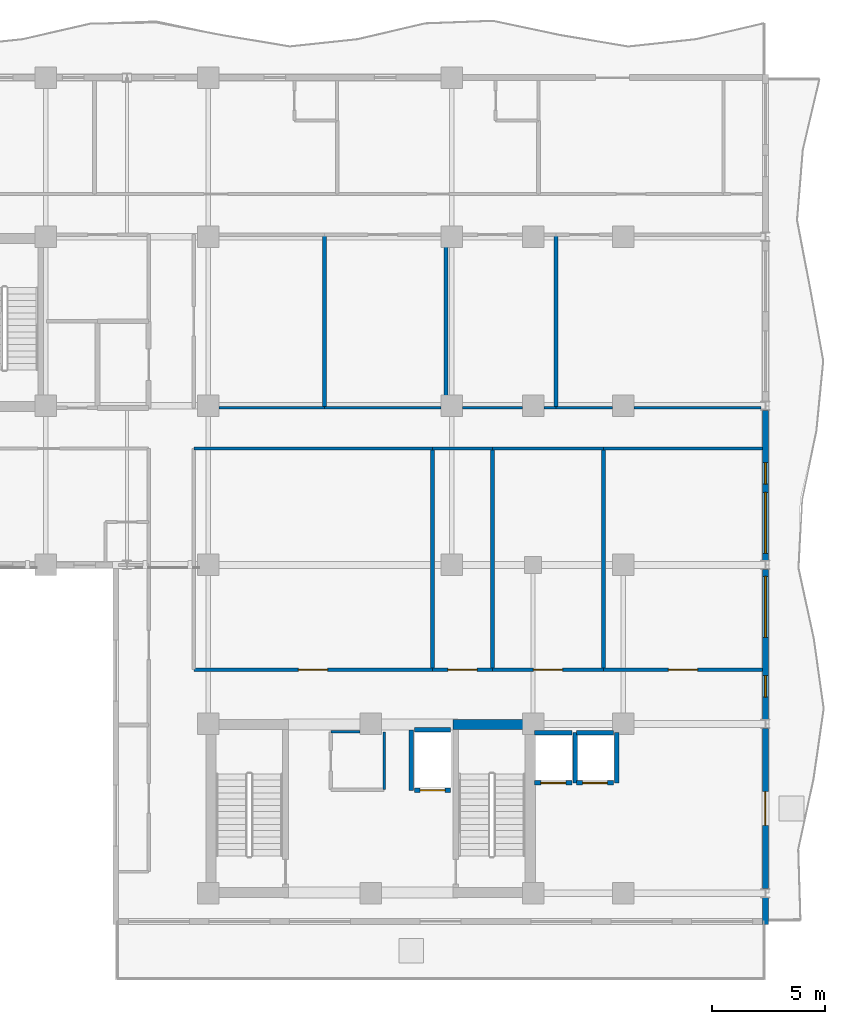
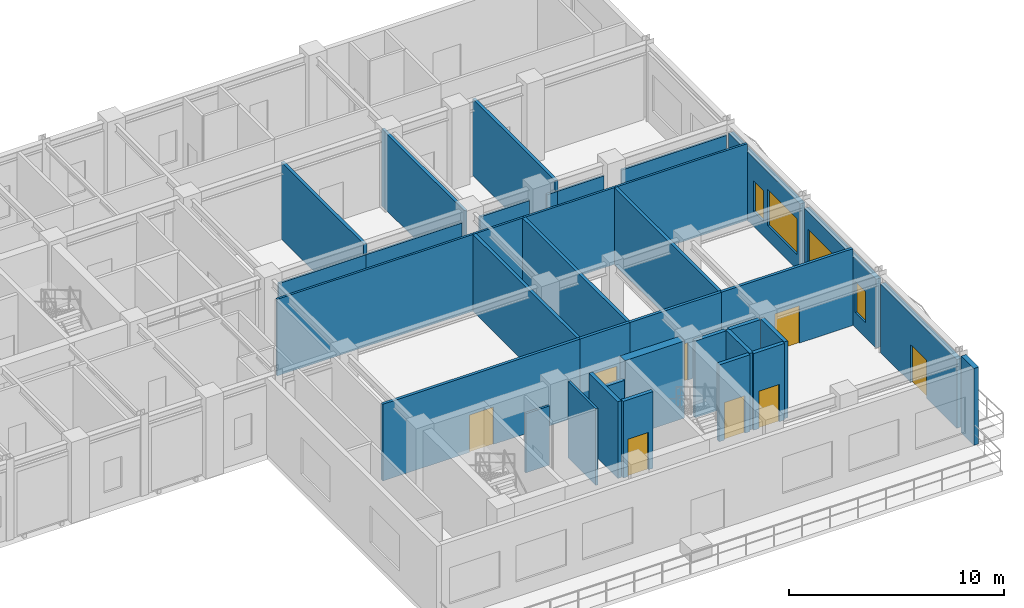
# One storey, part 8 of 14: 36 walls, 8 doors, 4 windows, 12 openings.
"""IFC4 building model written with IfcOpenShell, lengths in metres."""

from ifc_helpers import new_model, si_unit, direction, frame, frame_2d, origin, place, context, subcontext, project, spatial, rectangle, extrude, material, layer, layer_set, type_object, element, fill, save


model = new_model("IFC4")

# Units and contexts
model_context = context("Model", 3, precision=1e-05, world=origin(), true_north=direction((0.0, 1.0)))
body_context = subcontext(model_context, "Body", "Model", "MODEL_VIEW")
ifc_project = project(units=[si_unit("LENGTHUNIT", "METRE"), si_unit("AREAUNIT", "SQUARE_METRE"), si_unit("VOLUMEUNIT", "CUBIC_METRE"), si_unit("PLANEANGLEUNIT", "RADIAN"), si_unit("MASSUNIT", "GRAM", prefix="KILO")], contexts=[model_context])

# Site, building, storey
site_placement = place(None, origin())
site = spatial("IfcSite", under=ifc_project, at=site_placement, CompositionType="ELEMENT")
building_placement = place(site_placement, origin())
building = spatial("IfcBuilding", under=site, at=building_placement, Name="Kaliganga Portal Commons", CompositionType="ELEMENT")
storey_placement = place(building_placement, frame((0.0, 0.0, 197.199951171875)))
storey = spatial("IfcBuildingStorey", under=building, at=storey_placement, Name="L50", CompositionType="ELEMENT", Elevation=197.199951171875)

# Walls
ifc_material_1 = material(Name="Concrete C60/75", Category="concrete")
ifc_layer_1 = layer(ifc_material_1, 0.449951171875)
ifc_layer_set_1 = layer_set([ifc_layer_1], Name="Concrete C60/75")
wall_type_1 = type_object("IfcWallType", Name="WL-CORE-450", PredefinedType="SHEAR", material=ifc_layer_set_1)
wall_1_placement = place(storey_placement, frame((46.85009765625, 14.52490234375, 0.0), z_axis=(0.0, 0.0, 1.0), x_axis=(1.0, 0.0, 0.0)))
element("IfcWall", 1, at=wall_1_placement, inside=storey, type_object=wall_type_1, Name="Core B N-East Shear Wall L50", PredefinedType="SHEAR", context=body_context, shape_type="SweptSolid", body=[
    extrude(rectangle(XDim=3.199951171875, YDim=0.449951171875, at=frame_2d((1.60009765625, 0.0))), origin(), (0.0, 0.0, 1.0), 4.3701171875),
])
ifc_material_2 = material(Name="Insulated Aluminium-Clad Spandrel Assembly", Category="aluminium")
ifc_layer_2 = layer(ifc_material_2, 0.260009765625)
ifc_layer_set_2 = layer_set([ifc_layer_2], Name="Insulated Aluminium-Clad Spandrel Assembly")
wall_type_2 = type_object("IfcWallType", Name="WL-EXT-SPAND-260", PredefinedType="STANDARD", material=ifc_layer_set_2)
wall_2_placement = place(storey_placement, frame((60.699951171875, 6.84912109375, 0.0), z_axis=(0.0, 0.0, 1.0), x_axis=(0.0, -1.0, 0.0)))
element("IfcWall", 2, at=wall_2_placement, inside=storey, type_object=wall_type_2, Name="Exterior Envelope Wall L50 P1-E01-S1", PredefinedType="STANDARD", context=body_context, shape_type="SweptSolid", body=[
    extrude(rectangle(XDim=1.17919921875, YDim=0.260009765625, at=frame_2d((0.589599609375, 0.0))), origin(), (0.0, 0.0, 1.0), 4.35009765625),
])

# Wall, opening, door
wall_3_placement = place(storey_placement, frame((60.699951171875, 14.34912109375, 0.0), z_axis=(0.0, 0.0, 1.0), x_axis=(0.0, -1.0, 0.0)))
wall_3 = element("IfcWall", 3, at=wall_3_placement, inside=storey, type_object=wall_type_2, Name="Exterior Envelope Wall L50 P1-E01-S2", PredefinedType="STANDARD", context=body_context, shape_type="SweptSolid", body=[
    extrude(rectangle(XDim=7.09814453125, YDim=0.260009765625, at=frame_2d((3.549072265625, 0.0))), origin(), (0.0, 0.0, 1.0), 3.900146484375),
])
opening_1_placement = place(wall_3_placement, frame((2.799072265625, 0.0, 0.0)))
opening_1 = element("IfcOpeningElement", 4, at=opening_1_placement, cuts=wall_3, Name="Opening BD-01", PredefinedType="OPENING", context=body_context, shape_type="SweptSolid", body=[
    extrude(rectangle(XDim=1.5, YDim=2.14990234375, at=frame_2d((0.75, 1.074951171875))), frame((0.0, 0.14013671875, 0.0), z_axis=(0.0, -1.0, 0.0), x_axis=(1.0, 0.0, 0.0)), (0.0, 0.0, 1.0), 0.280029296875),
])
ifc_material_3 = material(Name="Anodized Aluminium and Laminated Safety Glass", Category="aluminium")
door_type_1 = type_object("IfcDoorType", Name="DR-BALC-1500", OperationType="SLIDING_TO_LEFT", PredefinedType="DOOR", material=ifc_material_3)
door_1_placement = place(opening_1_placement, origin())
door_1 = element("IfcDoor", 5, at=door_1_placement, inside=storey, type_object=door_type_1, Name="Balcony Sliding Door L50 balc_east", OperationType="SLIDING_TO_LEFT", OverallHeight=2.14990234375, OverallWidth=1.5, PredefinedType="DOOR", context=body_context, shape_type="SweptSolid", body=[
    extrude(rectangle(XDim=1.5, YDim=2.14990234375, at=frame_2d((0.75, 1.074951171875))), frame((0.0, 0.02490234375, 0.0), z_axis=(0.0, -1.0, 0.0), x_axis=(1.0, 0.0, 0.0)), (0.0, 0.0, 1.0), 0.050048828125),
])
fill(opening_1, door_1)

# Wall, openings, windows
wall_4_placement = place(storey_placement, frame((60.699951171875, 21.39892578125, 0.0), z_axis=(0.0, 0.0, 1.0), x_axis=(0.0, -1.0, 0.0)))
wall_4 = element("IfcWall", 6, at=wall_4_placement, inside=storey, type_object=wall_type_2, Name="Exterior Envelope Wall L50 P1-E01-S3", PredefinedType="STANDARD", context=body_context, shape_type="SweptSolid", body=[
    extrude(rectangle(XDim=6.64794921875, YDim=0.260009765625, at=frame_2d((3.323974609375, 0.0))), origin(), (0.0, 0.0, 1.0), 3.900146484375),
])
opening_2_placement = place(wall_4_placement, frame((0.31201171875, 0.0, 0.85009765625)))
opening_2 = element("IfcOpeningElement", 7, at=opening_2_placement, cuts=wall_4, Name="Opening W-07", PredefinedType="OPENING", context=body_context, shape_type="SweptSolid", body=[
    extrude(rectangle(XDim=2.699951171875, YDim=2.050048828125, at=frame_2d((1.35009765625, 1.02490234375))), frame((0.0, 0.14013671875, 0.0), z_axis=(0.0, -1.0, 0.0), x_axis=(1.0, 0.0, 0.0)), (0.0, 0.0, 1.0), 0.280029296875),
])
opening_3_placement = place(wall_4_placement, frame((4.71044921875, 0.0, 0.85009765625)))
opening_3 = element("IfcOpeningElement", 8, at=opening_3_placement, cuts=wall_4, Name="Opening W-04", PredefinedType="OPENING", context=body_context, shape_type="SweptSolid", body=[
    extrude(rectangle(XDim=0.949951171875, YDim=1.75, at=frame_2d((0.47509765625, 0.875))), frame((0.0, 0.14013671875, 0.0), z_axis=(0.0, -1.0, 0.0), x_axis=(1.0, 0.0, 0.0)), (0.0, 0.0, 1.0), 0.280029296875),
])
ifc_material_4 = material(Name="Thermally Broken Aluminium and Low-E Double Glazing", Category="aluminium")
window_type_1 = type_object("IfcWindowType", Name="WIN-LOUNGE-2700", PartitioningType="TRIPLE_PANEL_VERTICAL", PredefinedType="WINDOW", material=ifc_material_4)
window_1_placement = place(opening_2_placement, origin())
window_1 = element("IfcWindow", 9, at=window_1_placement, inside=storey, type_object=window_type_1, Name="Facade Window L50-P1E01S3-00", OverallHeight=2.050048828125, OverallWidth=2.699951171875, PartitioningType="SINGLE_PANEL", PredefinedType="WINDOW", context=body_context, shape_type="SweptSolid", body=[
    extrude(rectangle(XDim=2.699951171875, YDim=2.050048828125, at=frame_2d((1.35009765625, 1.02490234375))), frame((0.0, 0.030029296875, 0.0), z_axis=(0.0, -1.0, 0.0), x_axis=(1.0, 0.0, 0.0)), (0.0, 0.0, 1.0), 0.06005859375),
])
fill(opening_2, window_1)
window_type_2 = type_object("IfcWindowType", Name="WIN-NARROW-950", PartitioningType="SINGLE_PANEL", PredefinedType="WINDOW", material=ifc_material_4)
window_2_placement = place(opening_3_placement, origin())
window_2 = element("IfcWindow", 10, at=window_2_placement, inside=storey, type_object=window_type_2, Name="Facade Window L50-P1E01S3-N10", OverallHeight=1.75, OverallWidth=0.949951171875, PartitioningType="SINGLE_PANEL", PredefinedType="WINDOW", context=body_context, shape_type="SweptSolid", body=[
    extrude(rectangle(XDim=0.949951171875, YDim=1.75, at=frame_2d((0.47509765625, 0.875))), frame((0.0, 0.030029296875, 0.0), z_axis=(0.0, -1.0, 0.0), x_axis=(1.0, 0.0, 0.0)), (0.0, 0.0, 1.0), 0.06005859375),
])
fill(opening_3, window_2)

wall_5_placement = place(storey_placement, frame((60.699951171875, 28.448974609375, 0.0), z_axis=(0.0, 0.0, 1.0), x_axis=(0.0, -1.0, 0.0)))
wall_5 = element("IfcWall", 11, at=wall_5_placement, inside=storey, type_object=wall_type_2, Name="Exterior Envelope Wall L50 P1-E01-S4", PredefinedType="STANDARD", context=body_context, shape_type="SweptSolid", body=[
    extrude(rectangle(XDim=6.64794921875, YDim=0.260009765625, at=frame_2d((3.323974609375, 0.0))), origin(), (0.0, 0.0, 1.0), 3.900146484375),
])
opening_4_placement = place(wall_5_placement, frame((3.635986328125, 0.0, 0.85009765625)))
opening_4 = element("IfcOpeningElement", 12, at=opening_4_placement, cuts=wall_5, Name="Opening W-07", PredefinedType="OPENING", context=body_context, shape_type="SweptSolid", body=[
    extrude(rectangle(XDim=2.699951171875, YDim=2.050048828125, at=frame_2d((1.35009765625, 1.02490234375))), frame((0.0, 0.14013671875, 0.0), z_axis=(0.0, -1.0, 0.0), x_axis=(1.0, 0.0, 0.0)), (0.0, 0.0, 1.0), 0.280029296875),
])
opening_5_placement = place(wall_5_placement, frame((2.317138671875, 0.0, 0.85009765625)))
opening_5 = element("IfcOpeningElement", 13, at=opening_5_placement, cuts=wall_5, Name="Opening W-04", PredefinedType="OPENING", context=body_context, shape_type="SweptSolid", body=[
    extrude(rectangle(XDim=0.949951171875, YDim=1.75, at=frame_2d((0.47509765625, 0.875))), frame((0.0, 0.14013671875, 0.0), z_axis=(0.0, -1.0, 0.0), x_axis=(1.0, 0.0, 0.0)), (0.0, 0.0, 1.0), 0.280029296875),
])
window_3_placement = place(opening_4_placement, origin())
window_3 = element("IfcWindow", 14, at=window_3_placement, inside=storey, type_object=window_type_1, Name="Facade Window L50-P1E01S4-01", OverallHeight=2.050048828125, OverallWidth=2.699951171875, PartitioningType="SINGLE_PANEL", PredefinedType="WINDOW", context=body_context, shape_type="SweptSolid", body=[
    extrude(rectangle(XDim=2.699951171875, YDim=2.050048828125, at=frame_2d((1.35009765625, 1.02490234375))), frame((0.0, 0.030029296875, 0.0), z_axis=(0.0, -1.0, 0.0), x_axis=(1.0, 0.0, 0.0)), (0.0, 0.0, 1.0), 0.06005859375),
])
fill(opening_4, window_3)
window_4_placement = place(opening_5_placement, origin())
window_4 = element("IfcWindow", 15, at=window_4_placement, inside=storey, type_object=window_type_2, Name="Facade Window L50-P1E01S4-N5", OverallHeight=1.75, OverallWidth=0.949951171875, PartitioningType="SINGLE_PANEL", PredefinedType="WINDOW", context=body_context, shape_type="SweptSolid", body=[
    extrude(rectangle(XDim=0.949951171875, YDim=1.75, at=frame_2d((0.47509765625, 0.875))), frame((0.0, 0.030029296875, 0.0), z_axis=(0.0, -1.0, 0.0), x_axis=(1.0, 0.0, 0.0)), (0.0, 0.0, 1.0), 0.06005859375),
])
fill(opening_5, window_4)

# Wall, opening, door
ifc_material_5 = material(Name="Fire-Rated Gypsum Board on Steel Stud", Category="steel")
ifc_layer_3 = layer(ifc_material_5, 0.14990234375)
ifc_layer_set_3 = layer_set([ifc_layer_3], Name="Fire-Rated Gypsum Board on Steel Stud")
wall_type_3 = type_object("IfcWallType", Name="WL-PART-CORR-150", PredefinedType="PARTITIONING", material=ifc_layer_set_3)
wall_6_placement = place(storey_placement, frame((35.360107421875, 16.9599609375, 0.0), z_axis=(0.0, 0.0, 1.0), x_axis=(1.0, 0.0, 0.0)))
wall_6 = element("IfcWall", 16, at=wall_6_placement, inside=storey, type_object=wall_type_3, Name="Interior Partition L50-016", PredefinedType="PARTITIONING", context=body_context, shape_type="SweptSolid", body=[
    extrude(rectangle(XDim=10.579833984375, YDim=0.14990234375, at=frame_2d((5.2900390625, 0.0))), origin(), (0.0, 0.0, 1.0), 4.35009765625),
])
opening_6_placement = place(wall_6_placement, frame((4.639892578125, 0.0, 0.0)))
opening_6 = element("IfcOpeningElement", 17, at=opening_6_placement, cuts=wall_6, Name="Opening RD-03", PredefinedType="OPENING", context=body_context, shape_type="SweptSolid", body=[
    extrude(rectangle(XDim=1.300048828125, YDim=2.1201171875, at=frame_2d((0.64990234375, 1.06005859375))), frame((0.0, 0.0849609375, 0.0), z_axis=(0.0, -1.0, 0.0), x_axis=(1.0, 0.0, 0.0)), (0.0, 0.0, 1.0), 0.169921875),
])
ifc_material_6 = material(Name="Glazed Timber Seminar Vision Door", Category="wood")
door_type_2 = type_object("IfcDoorType", Name="DR-STUDY-1300", OperationType="DOUBLE_DOOR_SINGLE_SWING", PredefinedType="DOOR", material=ifc_material_6)
door_2_placement = place(opening_6_placement, origin())
door_2 = element("IfcDoor", 18, at=door_2_placement, inside=storey, type_object=door_type_2, Name="Interior Door L50-BM01", OperationType="DOUBLE_DOOR_SINGLE_SWING", OverallHeight=2.1201171875, OverallWidth=1.300048828125, PredefinedType="DOOR", context=body_context, shape_type="SweptSolid", body=[
    extrude(rectangle(XDim=1.300048828125, YDim=2.1201171875, at=frame_2d((0.64990234375, 1.06005859375))), frame((0.0, 0.02490234375, 0.0), z_axis=(0.0, -1.0, 0.0), x_axis=(1.0, 0.0, 0.0)), (0.0, 0.0, 1.0), 0.050048828125),
])
fill(opening_6, door_2)

wall_7_placement = place(storey_placement, frame((53.52001953125, 16.9599609375, 0.0), z_axis=(0.0, 0.0, 1.0), x_axis=(1.0, 0.0, 0.0)))
wall_7 = element("IfcWall", 19, at=wall_7_placement, inside=storey, type_object=wall_type_3, Name="Interior Partition L50-025", PredefinedType="PARTITIONING", context=body_context, shape_type="SweptSolid", body=[
    extrude(rectangle(XDim=7.048095703125, YDim=0.14990234375, at=frame_2d((3.52392578125, 0.0))), origin(), (0.0, 0.0, 1.0), 4.35009765625),
])
opening_7_placement = place(wall_7_placement, frame((2.8740234375, 0.0, 0.0)))
opening_7 = element("IfcOpeningElement", 20, at=opening_7_placement, cuts=wall_7, Name="Opening RD-03", PredefinedType="OPENING", context=body_context, shape_type="SweptSolid", body=[
    extrude(rectangle(XDim=1.300048828125, YDim=2.1201171875, at=frame_2d((0.64990234375, 1.06005859375))), frame((0.0, 0.0849609375, 0.0), z_axis=(0.0, -1.0, 0.0), x_axis=(1.0, 0.0, 0.0)), (0.0, 0.0, 1.0), 0.169921875),
])
door_3_placement = place(opening_7_placement, origin())
door_3 = element("IfcDoor", 21, at=door_3_placement, inside=storey, type_object=door_type_2, Name="Interior Door L50-BM03", OperationType="DOUBLE_DOOR_SINGLE_SWING", OverallHeight=2.1201171875, OverallWidth=1.300048828125, PredefinedType="DOOR", context=body_context, shape_type="SweptSolid", body=[
    extrude(rectangle(XDim=1.300048828125, YDim=2.1201171875, at=frame_2d((0.64990234375, 1.06005859375))), frame((0.0, 0.02490234375, 0.0), z_axis=(0.0, -1.0, 0.0), x_axis=(1.0, 0.0, 0.0)), (0.0, 0.0, 1.0), 0.050048828125),
])
fill(opening_7, door_3)

wall_8_placement = place(storey_placement, frame((48.60009765625, 16.9599609375, 0.0), z_axis=(0.0, 0.0, 1.0), x_axis=(1.0, 0.0, 0.0)))
wall_8 = element("IfcWall", 22, at=wall_8_placement, inside=storey, type_object=wall_type_3, Name="Interior Partition L50-031", PredefinedType="PARTITIONING", context=body_context, shape_type="SweptSolid", body=[
    extrude(rectangle(XDim=4.919921875, YDim=0.14990234375, at=frame_2d((2.4599609375, 0.0))), origin(), (0.0, 0.0, 1.0), 4.35009765625),
])
opening_8_placement = place(wall_8_placement, frame((1.81005859375, 0.0, 0.0)))
opening_8 = element("IfcOpeningElement", 23, at=opening_8_placement, cuts=wall_8, Name="Opening RD-03", PredefinedType="OPENING", context=body_context, shape_type="SweptSolid", body=[
    extrude(rectangle(XDim=1.300048828125, YDim=2.1201171875, at=frame_2d((0.64990234375, 1.06005859375))), frame((0.0, 0.0849609375, 0.0), z_axis=(0.0, -1.0, 0.0), x_axis=(1.0, 0.0, 0.0)), (0.0, 0.0, 1.0), 0.169921875),
])
door_4_placement = place(opening_8_placement, origin())
door_4 = element("IfcDoor", 24, at=door_4_placement, inside=storey, type_object=door_type_2, Name="Interior Door L50-BM02B", OperationType="DOUBLE_DOOR_SINGLE_SWING", OverallHeight=2.1201171875, OverallWidth=1.300048828125, PredefinedType="DOOR", context=body_context, shape_type="SweptSolid", body=[
    extrude(rectangle(XDim=1.300048828125, YDim=2.1201171875, at=frame_2d((0.64990234375, 1.06005859375))), frame((0.0, 0.02490234375, 0.0), z_axis=(0.0, -1.0, 0.0), x_axis=(1.0, 0.0, 0.0)), (0.0, 0.0, 1.0), 0.050048828125),
])
fill(opening_8, door_4)

wall_9_placement = place(storey_placement, frame((45.93994140625, 16.9599609375, 0.0), z_axis=(0.0, 0.0, 1.0), x_axis=(1.0, 0.0, 0.0)))
wall_9 = element("IfcWall", 25, at=wall_9_placement, inside=storey, type_object=wall_type_3, Name="Interior Partition L50-038", PredefinedType="PARTITIONING", context=body_context, shape_type="SweptSolid", body=[
    extrude(rectangle(XDim=2.66015625, YDim=0.14990234375, at=frame_2d((1.330078125, 0.0))), origin(), (0.0, 0.0, 1.0), 4.35009765625),
])
opening_9_placement = place(wall_9_placement, frame((0.679931640625, 0.0, 0.0)))
opening_9 = element("IfcOpeningElement", 26, at=opening_9_placement, cuts=wall_9, Name="Opening RD-03", PredefinedType="OPENING", context=body_context, shape_type="SweptSolid", body=[
    extrude(rectangle(XDim=1.300048828125, YDim=2.1201171875, at=frame_2d((0.64990234375, 1.06005859375))), frame((0.0, 0.0849609375, 0.0), z_axis=(0.0, -1.0, 0.0), x_axis=(1.0, 0.0, 0.0)), (0.0, 0.0, 1.0), 0.169921875),
])
door_5_placement = place(opening_9_placement, origin())
door_5 = element("IfcDoor", 27, at=door_5_placement, inside=storey, type_object=door_type_2, Name="Interior Door L50-BM02", OperationType="DOUBLE_DOOR_SINGLE_SWING", OverallHeight=2.1201171875, OverallWidth=1.300048828125, PredefinedType="DOOR", context=body_context, shape_type="SweptSolid", body=[
    extrude(rectangle(XDim=1.300048828125, YDim=2.1201171875, at=frame_2d((0.64990234375, 1.06005859375))), frame((0.0, 0.02490234375, 0.0), z_axis=(0.0, -1.0, 0.0), x_axis=(1.0, 0.0, 0.0)), (0.0, 0.0, 1.0), 0.050048828125),
])
fill(opening_9, door_5)

# Walls
ifc_material_7 = material(Name="Moisture-Resistant Gypsum Partition", Category="gypsum")
ifc_layer_4 = layer(ifc_material_7, 0.114990234375)
ifc_layer_set_4 = layer_set([ifc_layer_4], Name="Moisture-Resistant Gypsum Partition")
wall_type_4 = type_object("IfcWallType", Name="WL-PART-ROOM-115", PredefinedType="PARTITIONING", material=ifc_layer_set_4)
wall_10_placement = place(storey_placement, frame((35.360107421875, 26.760009765625, 0.0), z_axis=(0.0, 0.0, 1.0), x_axis=(1.0, 0.0, 0.0)))
element("IfcWall", 28, at=wall_10_placement, inside=storey, type_object=wall_type_4, Name="Interior Partition L50-055", PredefinedType="PARTITIONING", context=body_context, shape_type="SweptSolid", body=[
    extrude(rectangle(XDim=10.579833984375, YDim=0.114990234375, at=frame_2d((5.2900390625, 0.0))), origin(), (0.0, 0.0, 1.0), 4.35009765625),
])
wall_11_placement = place(storey_placement, frame((51.419921875, 28.56005859375, 0.0), z_axis=(0.0, 0.0, 1.0), x_axis=(1.0, 0.0, 0.0)))
element("IfcWall", 29, at=wall_11_placement, inside=storey, type_object=wall_type_4, Name="Interior Partition L50-059", PredefinedType="PARTITIONING", context=body_context, shape_type="SweptSolid", body=[
    extrude(rectangle(XDim=2.505126953125, YDim=0.114990234375, at=frame_2d((1.25244140625, 0.0))), origin(), (0.0, 0.0, 1.0), 3.75),
])
wall_12_placement = place(storey_placement, frame((54.875, 28.56005859375, 0.0), z_axis=(0.0, 0.0, 1.0), x_axis=(1.0, 0.0, 0.0)))
element("IfcWall", 30, at=wall_12_placement, inside=storey, type_object=wall_type_4, Name="Interior Partition L50-060", PredefinedType="PARTITIONING", context=body_context, shape_type="SweptSolid", body=[
    extrude(rectangle(XDim=5.62548828125, YDim=0.114990234375, at=frame_2d((2.812744140625, 0.0))), origin(), (0.0, 0.0, 1.0), 3.75),
])
wall_13_placement = place(storey_placement, frame((53.52001953125, 26.760009765625, 0.0), z_axis=(0.0, 0.0, 1.0), x_axis=(1.0, 0.0, 0.0)))
element("IfcWall", 31, at=wall_13_placement, inside=storey, type_object=wall_type_4, Name="Interior Partition L50-064", PredefinedType="PARTITIONING", context=body_context, shape_type="SweptSolid", body=[
    extrude(rectangle(XDim=7.048095703125, YDim=0.114990234375, at=frame_2d((3.52392578125, 0.0))), origin(), (0.0, 0.0, 1.0), 4.35009765625),
])
wall_14_placement = place(storey_placement, frame((36.47509765625, 28.56005859375, 0.0), z_axis=(0.0, 0.0, 1.0), x_axis=(1.0, 0.0, 0.0)))
element("IfcWall", 32, at=wall_14_placement, inside=storey, type_object=wall_type_4, Name="Interior Partition L50-065", PredefinedType="PARTITIONING", context=body_context, shape_type="SweptSolid", body=[
    extrude(rectangle(XDim=4.684814453125, YDim=0.114990234375, at=frame_2d((2.34228515625, 0.0))), origin(), (0.0, 0.0, 1.0), 3.75),
])
wall_15_placement = place(storey_placement, frame((41.159912109375, 28.56005859375, 0.0), z_axis=(0.0, 0.0, 1.0), x_axis=(1.0, 0.0, 0.0)))
element("IfcWall", 33, at=wall_15_placement, inside=storey, type_object=wall_type_4, Name="Interior Partition L50-066", PredefinedType="PARTITIONING", context=body_context, shape_type="SweptSolid", body=[
    extrude(rectangle(XDim=5.1650390625, YDim=0.114990234375, at=frame_2d((2.58251953125, 0.0))), origin(), (0.0, 0.0, 1.0), 3.75),
])
wall_16_placement = place(storey_placement, frame((48.60009765625, 26.760009765625, 0.0), z_axis=(0.0, 0.0, 1.0), x_axis=(1.0, 0.0, 0.0)))
element("IfcWall", 34, at=wall_16_placement, inside=storey, type_object=wall_type_4, Name="Interior Partition L50-073", PredefinedType="PARTITIONING", context=body_context, shape_type="SweptSolid", body=[
    extrude(rectangle(XDim=4.919921875, YDim=0.114990234375, at=frame_2d((2.4599609375, 0.0))), origin(), (0.0, 0.0, 1.0), 4.35009765625),
])
wall_17_placement = place(storey_placement, frame((47.27490234375, 28.56005859375, 0.0), z_axis=(0.0, 0.0, 1.0), x_axis=(1.0, 0.0, 0.0)))
element("IfcWall", 35, at=wall_17_placement, inside=storey, type_object=wall_type_4, Name="Interior Partition L50-074", PredefinedType="PARTITIONING", context=body_context, shape_type="SweptSolid", body=[
    extrude(rectangle(XDim=2.650146484375, YDim=0.114990234375, at=frame_2d((1.3251953125, 0.0))), origin(), (0.0, 0.0, 1.0), 3.75),
])
wall_18_placement = place(storey_placement, frame((50.875, 28.56005859375, 0.0), z_axis=(0.0, 0.0, 1.0), x_axis=(1.0, 0.0, 0.0)))
element("IfcWall", 36, at=wall_18_placement, inside=storey, type_object=wall_type_4, Name="Interior Partition L50-075", PredefinedType="PARTITIONING", context=body_context, shape_type="SweptSolid", body=[
    extrude(rectangle(XDim=0.544921875, YDim=0.114990234375, at=frame_2d((0.2724609375, 0.0))), origin(), (0.0, 0.0, 1.0), 3.75),
])
wall_19_placement = place(storey_placement, frame((45.93994140625, 26.760009765625, 0.0), z_axis=(0.0, 0.0, 1.0), x_axis=(1.0, 0.0, 0.0)))
element("IfcWall", 37, at=wall_19_placement, inside=storey, type_object=wall_type_4, Name="Interior Partition L50-081", PredefinedType="PARTITIONING", context=body_context, shape_type="SweptSolid", body=[
    extrude(rectangle(XDim=2.66015625, YDim=0.114990234375, at=frame_2d((1.330078125, 0.0))), origin(), (0.0, 0.0, 1.0), 4.35009765625),
])
wall_20_placement = place(storey_placement, frame((43.800048828125, 11.639892578125, 0.0), z_axis=(0.0, 0.0, 1.0), x_axis=(0.0, 1.0, 0.0)))
element("IfcWall", 38, at=wall_20_placement, inside=storey, type_object=wall_type_4, Name="Interior Partition L50-083", PredefinedType="PARTITIONING", context=body_context, shape_type="SweptSolid", body=[
    extrude(rectangle(XDim=2.56005859375, YDim=0.114990234375, at=frame_2d((1.280029296875, 0.0))), origin(), (0.0, 0.0, 1.0), 4.35009765625),
])
wall_21_placement = place(storey_placement, frame((41.43994140625, 14.199951171875, 0.0), z_axis=(0.0, 0.0, 1.0), x_axis=(1.0, 0.0, 0.0)))
element("IfcWall", 39, at=wall_21_placement, inside=storey, type_object=wall_type_4, Name="Interior Partition L50-084", PredefinedType="PARTITIONING", context=body_context, shape_type="SweptSolid", body=[
    extrude(rectangle(XDim=1.28515625, YDim=0.114990234375, at=frame_2d((0.642578125, 0.0))), origin(), (0.0, 0.0, 1.0), 3.35009765625),
])
ifc_material_8 = material(Name="Twin-Stud Acoustic Gypsum Partition", Category="gypsum")
ifc_layer_5 = layer(ifc_material_8, 0.1650390625)
ifc_layer_set_5 = layer_set([ifc_layer_5], Name="Twin-Stud Acoustic Gypsum Partition")
wall_type_5 = type_object("IfcWallType", Name="WL-PART-UNIT-165", PredefinedType="PARTITIONING", material=ifc_layer_set_5)
for number, where, z_axis, x_axis, name in (
    (40, (45.93994140625, 16.9599609375, 0.0), (0.0, 0.0, 1.0), (0.0, 1.0, 0.0), "Interior Partition L50-056"),
    (41, (48.60009765625, 16.9599609375, 0.0), (0.0, 0.0, 1.0), (0.0, 1.0, 0.0), "Interior Partition L50-057"),
    (42, (53.52001953125, 16.9599609375, 0.0), (0.0, 0.0, 1.0), (0.0, 1.0, 0.0), "Interior Partition L50-058"),
):
    element("IfcWall", number, at=place(storey_placement, frame(where, z_axis=z_axis, x_axis=x_axis)), inside=storey, type_object=wall_type_5, Name=name, PredefinedType="PARTITIONING", context=body_context, shape_type="SweptSolid", body=[
        extrude(rectangle(XDim=9.800048828125, YDim=0.1650390625, at=frame_2d((4.89990234375, 0.0))), origin(), (0.0, 0.0, 1.0), 4.35009765625),
    ])
for number, where, z_axis, x_axis, name in (
    (43, (41.159912109375, 28.56005859375, 0.0), (0.0, 0.0, 1.0), (0.0, 1.0, 0.0), "Interior Partition L50-061"),
    (44, (46.5400390625, 28.56005859375, 0.0), (0.0, 0.0, 1.0), (0.0, 1.0, 0.0), "Interior Partition L50-062"),
    (45, (51.419921875, 28.56005859375, 0.0), (0.0, 0.0, 1.0), (0.0, 1.0, 0.0), "Interior Partition L50-063"),
):
    element("IfcWall", number, at=place(storey_placement, frame(where, z_axis=z_axis, x_axis=x_axis)), inside=storey, type_object=wall_type_5, Name=name, PredefinedType="PARTITIONING", context=body_context, shape_type="SweptSolid", body=[
        extrude(rectangle(XDim=7.679931640625, YDim=0.1650390625, at=frame_2d((3.83984375, 0.0))), origin(), (0.0, 0.0, 1.0), 4.35009765625),
    ])

# Wall, opening, door
ifc_material_9 = material(Name="Fire-Rated Shaftwall Masonry Assembly", Category="masonry")
ifc_layer_6 = layer(ifc_material_9, 0.199951171875)
ifc_layer_set_6 = layer_set([ifc_layer_6], Name="Fire-Rated Shaftwall Masonry Assembly")
wall_type_6 = type_object("IfcWallType", Name="WL-SHAFT-200", PredefinedType="PARTITIONING", material=ifc_layer_set_6)
wall_22_placement = place(storey_placement, frame((50.47509765625, 11.93505859375, 0.0), z_axis=(0.0, 0.0, 1.0), x_axis=(1.0, 0.0, 0.0)))
wall_22 = element("IfcWall", 46, at=wall_22_placement, inside=storey, type_object=wall_type_6, Name="Lift PL-B3 Hoistway Shaft Wall L50-S", PredefinedType="PARTITIONING", context=body_context, shape_type="SweptSolid", body=[
    extrude(rectangle(XDim=1.64990234375, YDim=0.199951171875, at=frame_2d((0.824951171875, 0.0))), origin(), (0.0, 0.0, 1.0), 4.35009765625),
])
opening_10_placement = place(wall_22_placement, frame((0.27490234375, 0.0, 0.0)))
opening_10 = element("IfcOpeningElement", 47, at=opening_10_placement, cuts=wall_22, Name="Opening LD-01", PredefinedType="OPENING", context=body_context, shape_type="SweptSolid", body=[
    extrude(rectangle(XDim=1.10009765625, YDim=2.1201171875, at=frame_2d((0.550048828125, 1.06005859375))), frame((0.0, 0.10986328125, 0.0), z_axis=(0.0, -1.0, 0.0), x_axis=(1.0, 0.0, 0.0)), (0.0, 0.0, 1.0), 0.219970703125),
])
ifc_material_10 = material(Name="Brushed Stainless Steel 316 Lift Landing Door", Category="steel")
door_type_3 = type_object("IfcDoorType", Name="DR-LIFT-1100", OperationType="SLIDING_TO_LEFT", PredefinedType="DOOR", material=ifc_material_10)
door_6_placement = place(opening_10_placement, origin())
door_6 = element("IfcDoor", 48, at=door_6_placement, inside=storey, type_object=door_type_3, Name="Lift PL-B3 Sliding Landing Door L50", OperationType="SLIDING_TO_LEFT", OverallHeight=2.1201171875, OverallWidth=1.10009765625, PredefinedType="DOOR", context=body_context, shape_type="SweptSolid", body=[
    extrude(rectangle(XDim=1.10009765625, YDim=2.1201171875, at=frame_2d((0.550048828125, 1.06005859375))), frame((0.0, 0.02490234375, 0.0), z_axis=(0.0, -1.0, 0.0), x_axis=(1.0, 0.0, 0.0)), (0.0, 0.0, 1.0), 0.050048828125),
])
fill(opening_10, door_6)

# Walls
wall_23_placement = place(storey_placement, frame((50.47509765625, 14.1650390625, 0.0), z_axis=(0.0, 0.0, 1.0), x_axis=(1.0, 0.0, 0.0)))
element("IfcWall", 49, at=wall_23_placement, inside=storey, type_object=wall_type_6, Name="Lift PL-B3 Hoistway Shaft Wall L50-N", PredefinedType="PARTITIONING", context=body_context, shape_type="SweptSolid", body=[
    extrude(rectangle(XDim=1.64990234375, YDim=0.199951171875, at=frame_2d((0.824951171875, 0.0))), origin(), (0.0, 0.0, 1.0), 4.35009765625),
])
wall_24_placement = place(storey_placement, frame((52.264892578125, 11.93505859375, 0.0), z_axis=(0.0, 0.0, 1.0), x_axis=(0.0, 1.0, 0.0)))
element("IfcWall", 50, at=wall_24_placement, inside=storey, type_object=wall_type_6, Name="Lift PL-B3 Hoistway Shaft Wall L50-E", PredefinedType="PARTITIONING", context=body_context, shape_type="SweptSolid", body=[
    extrude(rectangle(XDim=2.22998046875, YDim=0.199951171875, at=frame_2d((1.114990234375, 0.0))), origin(), (0.0, 0.0, 1.0), 4.35009765625),
])

# Wall, opening, door
wall_25_placement = place(storey_placement, frame((52.324951171875, 11.93505859375, 0.0), z_axis=(0.0, 0.0, 1.0), x_axis=(1.0, 0.0, 0.0)))
wall_25 = element("IfcWall", 51, at=wall_25_placement, inside=storey, type_object=wall_type_6, Name="Lift PL-B4 Hoistway Shaft Wall L50-S", PredefinedType="PARTITIONING", context=body_context, shape_type="SweptSolid", body=[
    extrude(rectangle(XDim=1.650146484375, YDim=0.199951171875, at=frame_2d((0.8251953125, 0.0))), origin(), (0.0, 0.0, 1.0), 4.35009765625),
])
opening_11_placement = place(wall_25_placement, frame((0.27490234375, 0.0, 0.0)))
opening_11 = element("IfcOpeningElement", 52, at=opening_11_placement, cuts=wall_25, Name="Opening LD-01", PredefinedType="OPENING", context=body_context, shape_type="SweptSolid", body=[
    extrude(rectangle(XDim=1.10009765625, YDim=2.1201171875, at=frame_2d((0.550048828125, 1.06005859375))), frame((0.0, 0.10986328125, 0.0), z_axis=(0.0, -1.0, 0.0), x_axis=(1.0, 0.0, 0.0)), (0.0, 0.0, 1.0), 0.219970703125),
])
door_7_placement = place(opening_11_placement, origin())
door_7 = element("IfcDoor", 53, at=door_7_placement, inside=storey, type_object=door_type_3, Name="Lift PL-B4 Sliding Landing Door L50", OperationType="SLIDING_TO_LEFT", OverallHeight=2.1201171875, OverallWidth=1.10009765625, PredefinedType="DOOR", context=body_context, shape_type="SweptSolid", body=[
    extrude(rectangle(XDim=1.10009765625, YDim=2.1201171875, at=frame_2d((0.550048828125, 1.06005859375))), frame((0.0, 0.02490234375, 0.0), z_axis=(0.0, -1.0, 0.0), x_axis=(1.0, 0.0, 0.0)), (0.0, 0.0, 1.0), 0.050048828125),
])
fill(opening_11, door_7)

# Walls
wall_26_placement = place(storey_placement, frame((52.324951171875, 14.1650390625, 0.0), z_axis=(0.0, 0.0, 1.0), x_axis=(1.0, 0.0, 0.0)))
element("IfcWall", 54, at=wall_26_placement, inside=storey, type_object=wall_type_6, Name="Lift PL-B4 Hoistway Shaft Wall L50-N", PredefinedType="PARTITIONING", context=body_context, shape_type="SweptSolid", body=[
    extrude(rectangle(XDim=1.650146484375, YDim=0.199951171875, at=frame_2d((0.8251953125, 0.0))), origin(), (0.0, 0.0, 1.0), 4.35009765625),
])
wall_27_placement = place(storey_placement, frame((54.114990234375, 11.93505859375, 0.0), z_axis=(0.0, 0.0, 1.0), x_axis=(0.0, 1.0, 0.0)))
element("IfcWall", 55, at=wall_27_placement, inside=storey, type_object=wall_type_6, Name="Lift PL-B4 Hoistway Shaft Wall L50-E", PredefinedType="PARTITIONING", context=body_context, shape_type="SweptSolid", body=[
    extrude(rectangle(XDim=2.22998046875, YDim=0.199951171875, at=frame_2d((1.114990234375, 0.0))), origin(), (0.0, 0.0, 1.0), 4.35009765625),
])

# Wall, opening, door
wall_28_placement = place(storey_placement, frame((45.14990234375, 11.610107421875, 0.0), z_axis=(0.0, 0.0, 1.0), x_axis=(1.0, 0.0, 0.0)))
wall_28 = element("IfcWall", 56, at=wall_28_placement, inside=storey, type_object=wall_type_6, Name="Lift SL-B1 Hoistway Shaft Wall L50-S", PredefinedType="PARTITIONING", context=body_context, shape_type="SweptSolid", body=[
    extrude(rectangle(XDim=1.60009765625, YDim=0.199951171875, at=frame_2d((0.800048828125, 0.0))), origin(), (0.0, 0.0, 1.0), 4.35009765625),
])
opening_12_placement = place(wall_28_placement, frame((0.25, 0.0, 0.0)))
opening_12 = element("IfcOpeningElement", 57, at=opening_12_placement, cuts=wall_28, Name="Opening LD-01", PredefinedType="OPENING", context=body_context, shape_type="SweptSolid", body=[
    extrude(rectangle(XDim=1.10009765625, YDim=2.1201171875, at=frame_2d((0.550048828125, 1.06005859375))), frame((0.0, 0.10986328125, 0.0), z_axis=(0.0, -1.0, 0.0), x_axis=(1.0, 0.0, 0.0)), (0.0, 0.0, 1.0), 0.219970703125),
])
door_8_placement = place(opening_12_placement, origin())
door_8 = element("IfcDoor", 58, at=door_8_placement, inside=storey, type_object=door_type_3, Name="Lift SL-B1 Sliding Landing Door L50", OperationType="SLIDING_TO_LEFT", OverallHeight=2.1201171875, OverallWidth=1.10009765625, PredefinedType="DOOR", context=body_context, shape_type="SweptSolid", body=[
    extrude(rectangle(XDim=1.10009765625, YDim=2.1201171875, at=frame_2d((0.550048828125, 1.06005859375))), frame((0.0, 0.02490234375, 0.0), z_axis=(0.0, -1.0, 0.0), x_axis=(1.0, 0.0, 0.0)), (0.0, 0.0, 1.0), 0.050048828125),
])
fill(opening_12, door_8)

# Walls
wall_29_placement = place(storey_placement, frame((45.14990234375, 14.2900390625, 0.0), z_axis=(0.0, 0.0, 1.0), x_axis=(1.0, 0.0, 0.0)))
element("IfcWall", 59, at=wall_29_placement, inside=storey, type_object=wall_type_6, Name="Lift SL-B1 Hoistway Shaft Wall L50-N", PredefinedType="PARTITIONING", context=body_context, shape_type="SweptSolid", body=[
    extrude(rectangle(XDim=1.60009765625, YDim=0.199951171875, at=frame_2d((0.800048828125, 0.0))), origin(), (0.0, 0.0, 1.0), 3.35009765625),
])
wall_30_placement = place(storey_placement, frame((45.010009765625, 11.610107421875, 0.0), z_axis=(0.0, 0.0, 1.0), x_axis=(0.0, 1.0, 0.0)))
element("IfcWall", 60, at=wall_30_placement, inside=storey, type_object=wall_type_6, Name="Lift SL-B1 Hoistway Shaft Wall L50-W", PredefinedType="PARTITIONING", context=body_context, shape_type="SweptSolid", body=[
    extrude(rectangle(XDim=2.679931640625, YDim=0.199951171875, at=frame_2d((1.33984375, 0.0))), origin(), (0.0, 0.0, 1.0), 4.35009765625),
])

save(model, "model.ifc")
